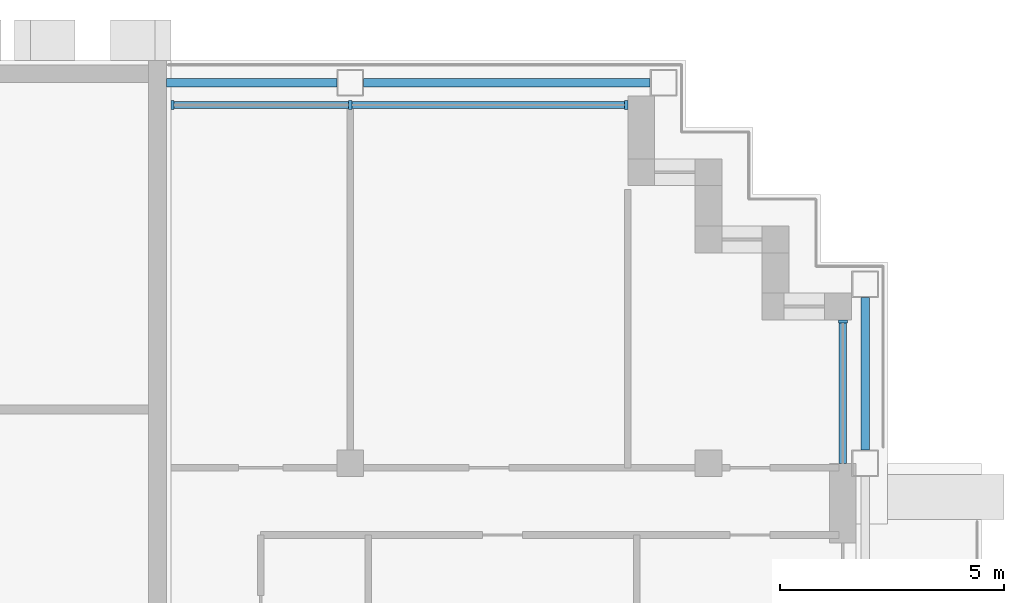
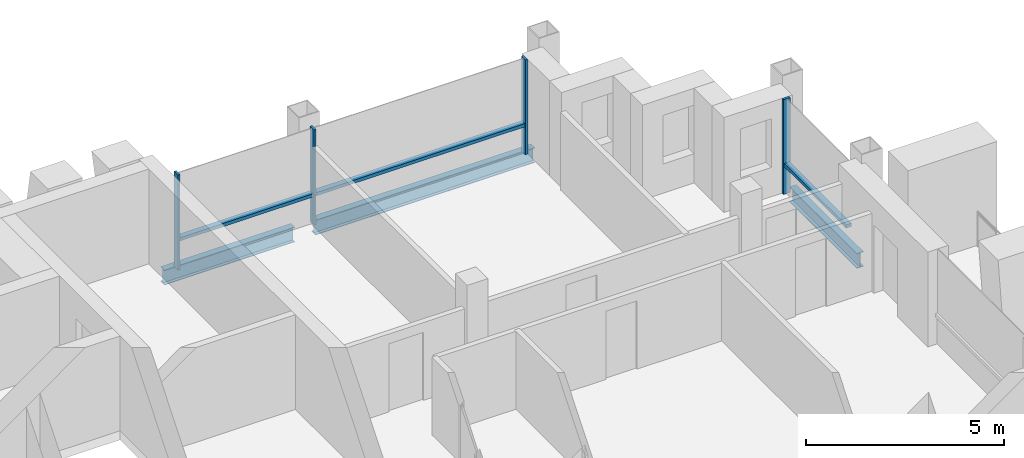
# One storey, part 5 of 16: 7 members, 3 beams, 2 elements without a shape of their own.
"""IFC4 building model written with IfcOpenShell, lengths in metres."""

from ifc_helpers import new_model, si_unit, direction, frame, origin, origin_2d, place, context, subcontext, project, spatial, rectangle, i_section, extrude, material, material_profile, profile_set, type_object, element, aggregate, save


model = new_model("IFC4")

# Units and contexts
model_context = context("Model", 3, precision=1e-05, world=origin(), true_north=direction((0.0, 1.0)))
body_context = subcontext(model_context, "Body", "Model", "MODEL_VIEW")
ifc_project = project(units=[si_unit("LENGTHUNIT", "METRE"), si_unit("AREAUNIT", "SQUARE_METRE"), si_unit("VOLUMEUNIT", "CUBIC_METRE"), si_unit("PLANEANGLEUNIT", "RADIAN"), si_unit("MASSUNIT", "GRAM", prefix="KILO")], contexts=[model_context])

# Site, building, storey
site_placement = place(None, origin())
site = spatial("IfcSite", under=ifc_project, at=site_placement, CompositionType="ELEMENT")
building_placement = place(site_placement, origin())
building = spatial("IfcBuilding", under=site, at=building_placement, Name="Vidyagriha Tower", CompositionType="ELEMENT")
storey_placement = place(building_placement, frame((0.0, 0.0, 230.0)))
storey = spatial("IfcBuildingStorey", under=building, at=storey_placement, Name="L60", CompositionType="ELEMENT", Elevation=230.0)

# Beams
ifc_material_1 = material(Name="Steel ASTM A992 Grade 50", Category="steel")
ifc_material_profile_1 = material_profile(ifc_material_1, i_section(OverallWidth=0.19189453125, OverallDepth=0.46240234375, WebThickness=0.010498046875, FlangeThickness=0.017578125, at=origin_2d()), Name="W18X60")
ifc_profile_set_1 = profile_set([ifc_material_profile_1], Name="Steel ASTM A992 Grade 50")
beam_type = type_object("IfcBeamType", Name="Edge beam W18X60", PredefinedType="SPANDREL", material=ifc_profile_set_1)
beam_1_placement = place(storey_placement, frame((29.5, 11.300048828125, -0.51123046875), z_axis=(0.0, 1.0, 0.0), x_axis=(-1.0, 0.0, 0.0)))
element("IfcBeam", 1, at=beam_1_placement, inside=storey, type_object=beam_type, Name="st-beam-L60-E17", PredefinedType="SPANDREL", context=body_context, shape_type="SweptSolid", body=[
    extrude(i_section(OverallWidth=0.19189453125, OverallDepth=0.46240234375, WebThickness=0.010498046875, FlangeThickness=0.017578125, at=origin_2d()), origin(), (0.0, 0.0, 1.0), 3.39990234375),
])
beam_2_placement = place(storey_placement, frame((18.300048828125, 19.5, -0.51123046875), z_axis=(1.0, 0.0, 0.0), x_axis=(0.0, 1.0, 0.0)))
element("IfcBeam", 2, at=beam_2_placement, inside=storey, type_object=beam_type, Name="st-beam-L60-NE19", PredefinedType="SPANDREL", context=body_context, shape_type="SweptSolid", body=[
    extrude(i_section(OverallWidth=0.19189453125, OverallDepth=0.46240234375, WebThickness=0.010498046875, FlangeThickness=0.017578125, at=origin_2d()), origin(), (0.0, 0.0, 1.0), 6.39990234375),
])
beam_3_placement = place(storey_placement, frame((13.89990234375, 19.5, -0.51123046875), z_axis=(1.0, 0.0, 0.0), x_axis=(0.0, 1.0, 0.0)))
element("IfcBeam", 3, at=beam_3_placement, inside=storey, type_object=beam_type, Name="st-beam-L60-NC21", PredefinedType="SPANDREL", context=body_context, shape_type="SweptSolid", body=[
    extrude(i_section(OverallWidth=0.19189453125, OverallDepth=0.46240234375, WebThickness=0.010498046875, FlangeThickness=0.017578125, at=origin_2d()), origin(), (0.0, 0.0, 1.0), 3.800048828125),
])

# Curtain wall, members
ifc_material_2 = material(Name="Aluminium and glass curtain wall", Category="aluminium")
curtain_wall_type = type_object("IfcCurtainWallType", Name="Dwelling skin unitised curtain wall", PredefinedType="USERDEFINED", material=ifc_material_2)
curtain_wall_1_placement = place(storey_placement, origin())
curtain_wall_1 = element("IfcCurtainWall", 4, at=curtain_wall_1_placement, inside=storey, type_object=curtain_wall_type, Name="CW1 dwelling skin", ObjectType="UNITISED", PredefinedType="USERDEFINED")
ifc_material_3 = material(Name="Aluminium black anodised", Category="aluminium")
ifc_material_profile_2 = material_profile(ifc_material_3, rectangle(XDim=0.199951171875, YDim=0.070068359375, at=origin_2d()), Name="Mullion 70x200 black aluminium")
ifc_profile_set_2 = profile_set([ifc_material_profile_2], Name="Aluminium black anodised")
member_type_1 = type_object("IfcMemberType", Name="Mullion 70x200 black aluminium", PredefinedType="MULLION", material=ifc_profile_set_2)
member_1_placement = place(storey_placement, frame((24.1650390625, 19.0, 0.0), z_axis=(0.0, 0.0, 1.0), x_axis=(0.0, -1.0, 0.0)))
member_1 = element("IfcMember", 5, at=member_1_placement, type_object=member_type_1, Name="CW1 mullion 1", PredefinedType="MULLION", context=body_context, shape_type="SweptSolid", body=[
    extrude(rectangle(XDim=0.199951171875, YDim=0.070068359375, at=origin_2d()), origin(), (0.0, 0.0, 1.0), 2.919921875),
])
member_2_placement = place(storey_placement, frame((18.0, 19.0, 0.0), z_axis=(0.0, 0.0, 1.0), x_axis=(0.0, -1.0, 0.0)))
member_2 = element("IfcMember", 6, at=member_2_placement, type_object=member_type_1, Name="CW1 mullion 2", PredefinedType="MULLION", context=body_context, shape_type="SweptSolid", body=[
    extrude(rectangle(XDim=0.199951171875, YDim=0.070068359375, at=origin_2d()), origin(), (0.0, 0.0, 1.0), 2.919921875),
])
member_3_placement = place(storey_placement, frame((14.034912109375, 19.0, 0.0), z_axis=(0.0, 0.0, 1.0), x_axis=(0.0, -1.0, 0.0)))
member_3 = element("IfcMember", 7, at=member_3_placement, type_object=member_type_1, Name="CW1 mullion 3", PredefinedType="MULLION", context=body_context, shape_type="SweptSolid", body=[
    extrude(rectangle(XDim=0.199951171875, YDim=0.070068359375, at=origin_2d()), origin(), (0.0, 0.0, 1.0), 2.919921875),
])

# Curtain wall, member
curtain_wall_2_placement = place(storey_placement, origin())
curtain_wall_2 = element("IfcCurtainWall", 8, at=curtain_wall_2_placement, inside=storey, type_object=curtain_wall_type, Name="CW1 dwelling skin", ObjectType="UNITISED", PredefinedType="USERDEFINED")
member_4_placement = place(storey_placement, frame((29.0, 14.1650390625, 0.0), z_axis=(0.0, 0.0, 1.0), x_axis=(-1.0, 0.0, 0.0)))
member_4 = element("IfcMember", 9, at=member_4_placement, type_object=member_type_1, Name="CW1 mullion 2", PredefinedType="MULLION", context=body_context, shape_type="SweptSolid", body=[
    extrude(rectangle(XDim=0.199951171875, YDim=0.070068359375, at=origin_2d()), origin(), (0.0, 0.0, 1.0), 2.919921875),
])

# Member
ifc_material_4 = material(Name="Aluminium black anodised", Category="aluminium")
ifc_material_profile_3 = material_profile(ifc_material_4, rectangle(XDim=0.159912109375, YDim=0.10009765625, at=origin_2d()), Name="Transom 100x160 black aluminium")
ifc_profile_set_3 = profile_set([ifc_material_profile_3], Name="Aluminium black anodised")
member_type_2 = type_object("IfcMemberType", Name="Transom 100x160 black aluminium", PredefinedType="USERDEFINED", material=ifc_profile_set_3)
member_5_placement = place(storey_placement, frame((24.1298828125, 19.0, 0.89990234375), z_axis=(-1.0, 0.0, 0.0), x_axis=(0.0, -1.0, 0.0)))
member_5 = element("IfcMember", 10, at=member_5_placement, type_object=member_type_2, Name="CW1 transom 1.1", ObjectType="TRANSOM", PredefinedType="USERDEFINED", context=body_context, shape_type="SweptSolid", body=[
    extrude(rectangle(XDim=0.159912109375, YDim=0.10009765625, at=origin_2d()), origin(), (0.0, 0.0, 1.0), 6.094970703125),
])

member_6_placement = place(storey_placement, frame((17.965087890625, 19.0, 0.89990234375), z_axis=(-1.0, 0.0, 0.0), x_axis=(0.0, -1.0, 0.0)))
member_6 = element("IfcMember", 11, at=member_6_placement, type_object=member_type_2, Name="CW1 transom 2.1", ObjectType="TRANSOM", PredefinedType="USERDEFINED", context=body_context, shape_type="SweptSolid", body=[
    extrude(rectangle(XDim=0.159912109375, YDim=0.10009765625, at=origin_2d()), origin(), (0.0, 0.0, 1.0), 3.89501953125),
])

aggregate(curtain_wall_1, [member_1, member_2, member_3, member_5, member_6])

member_7_placement = place(storey_placement, frame((29.0, 11.0, 0.89990234375), z_axis=(0.0, 1.0, 0.0), x_axis=(-1.0, 0.0, 0.0)))
member_7 = element("IfcMember", 12, at=member_7_placement, type_object=member_type_2, Name="CW1 transom 1.1", ObjectType="TRANSOM", PredefinedType="USERDEFINED", context=body_context, shape_type="SweptSolid", body=[
    extrude(rectangle(XDim=0.159912109375, YDim=0.10009765625, at=origin_2d()), origin(), (0.0, 0.0, 1.0), 3.1298828125),
])

aggregate(curtain_wall_2, [member_4, member_7])

save(model, "model.ifc")
